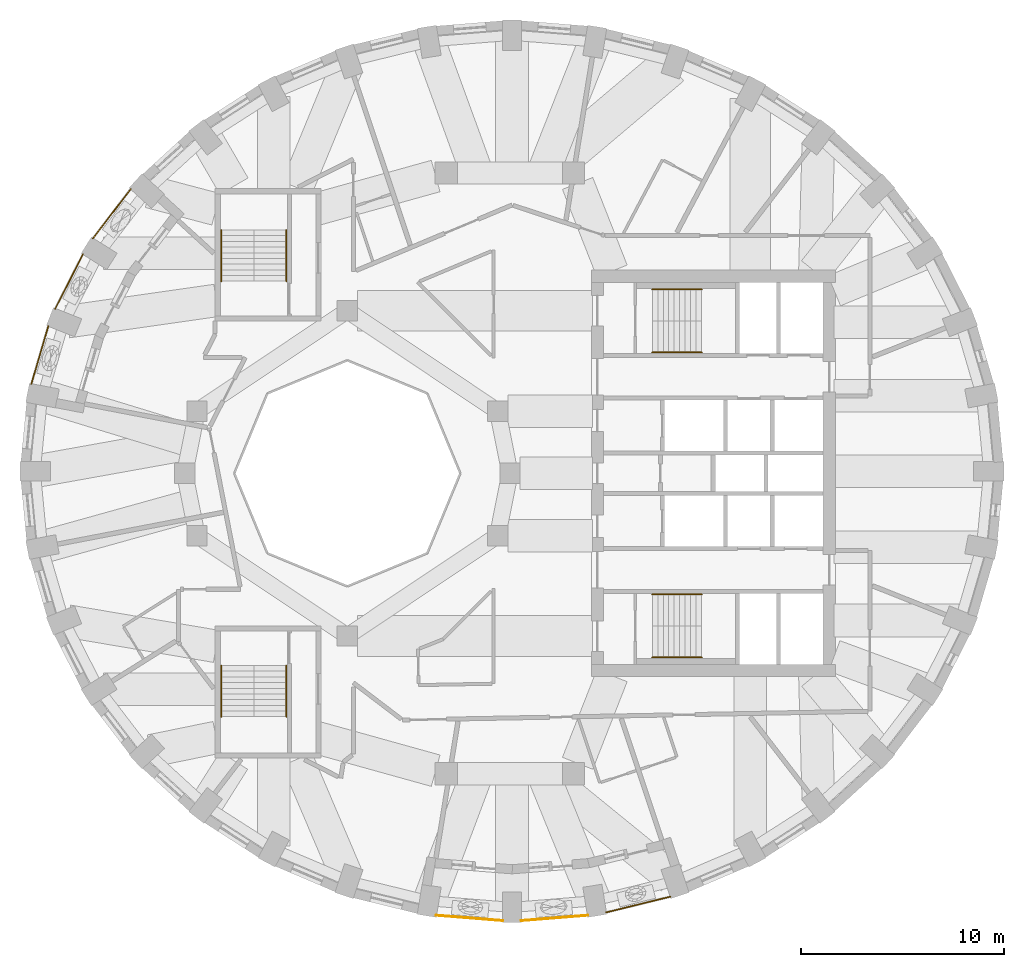
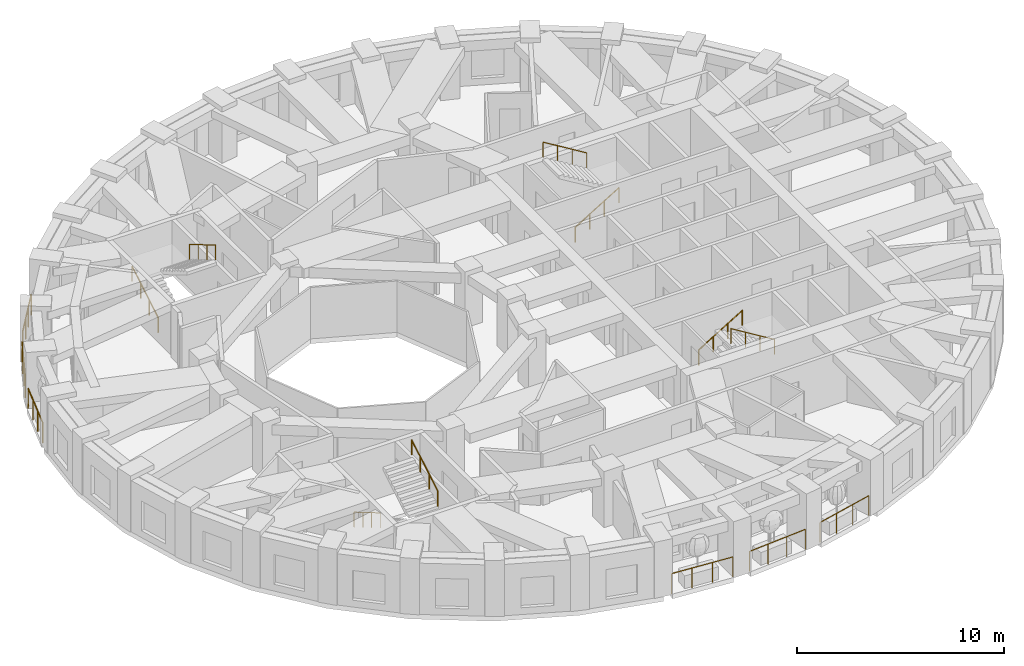
# One storey, part 9 of 11: 14 railings.
"""IFC4 building model written with IfcOpenShell, lengths in metres."""

from ifc_helpers import new_model, si_unit, direction, frame, origin, origin_2d, place, context, subcontext, project, spatial, circle, extrude, material, type_object, element, save


model = new_model("IFC4")

# Units and contexts
model_context = context("Model", 3, precision=1e-05, world=origin(), true_north=direction((0.0, 1.0)))
body_context = subcontext(model_context, "Body", "Model", "MODEL_VIEW")
ifc_project = project(units=[si_unit("LENGTHUNIT", "METRE"), si_unit("AREAUNIT", "SQUARE_METRE"), si_unit("VOLUMEUNIT", "CUBIC_METRE"), si_unit("PLANEANGLEUNIT", "RADIAN"), si_unit("MASSUNIT", "GRAM", prefix="KILO")], contexts=[model_context])

# Site, building, storey
site_placement = place(None, origin())
site = spatial("IfcSite", under=ifc_project, at=site_placement, CompositionType="ELEMENT")
building_placement = place(site_placement, origin())
building = spatial("IfcBuilding", under=site, at=building_placement, Name="Taillehof Tower", CompositionType="ELEMENT")
storey_placement = place(building_placement, frame((0.0, 0.0, 155.0)))
storey = spatial("IfcBuildingStorey", under=building, at=storey_placement, Name="L43", CompositionType="ELEMENT", Elevation=155.0)

# Railings
ifc_material_1 = material(Name="Stainless steel balustrade", Category="steel")
railing_type_1 = type_object("IfcRailingType", Name="Balcony guard 1200", PredefinedType="GUARDRAIL", material=ifc_material_1)
railing_1_placement = place(storey_placement, frame((-3.627197265625, -21.741455078125, 0.0)))
element("IfcRailing", 1, at=railing_1_placement, inside=storey, type_object=railing_type_1, Name="Balcony guard L43 bay 27", PredefinedType="GUARDRAIL", context=body_context, shape_type="SweptSolid", body=[
    extrude(circle(Radius=0.02392578125, at=origin_2d()), frame((0.0, 0.0, 1.17578125), z_axis=(0.996810783879, -0.079801385593, 0.0), x_axis=(0.079801385593, 0.996810783879, 0.0)), (0.0, 0.0, 1.0), 3.28271484375),
    extrude(circle(Radius=0.02099609375, at=origin_2d()), origin(), (0.0, 0.0, 1.0), 1.15185546875),
    extrude(circle(Radius=0.02099609375, at=origin_2d()), frame((1.0908203125, -0.08740234375, 0.0)), (0.0, 0.0, 1.0), 1.15185546875),
    extrude(circle(Radius=0.02099609375, at=origin_2d()), frame((2.181396484375, -0.174560546875, 0.0)), (0.0, 0.0, 1.0), 1.15185546875),
    extrude(circle(Radius=0.02099609375, at=origin_2d()), frame((3.272216796875, -0.261962890625, 0.0)), (0.0, 0.0, 1.0), 1.15185546875),
])
railing_2_placement = place(storey_placement, frame((0.55517578125, -22.00341796875, 0.0)))
element("IfcRailing", 2, at=railing_2_placement, inside=storey, type_object=railing_type_1, Name="Balcony guard L43 bay 28", PredefinedType="GUARDRAIL", context=body_context, shape_type="SweptSolid", body=[
    extrude(circle(Radius=0.02392578125, at=origin_2d()), frame((0.0, 0.0, 1.17578125), z_axis=(0.996810310205, 0.079807302108, 0.0), x_axis=(-0.079807302108, 0.996810310205, 0.0)), (0.0, 0.0, 1.0), 3.282470703125),
    extrude(circle(Radius=0.02099609375, at=origin_2d()), origin(), (0.0, 0.0, 1.0), 1.15185546875),
    extrude(circle(Radius=0.02099609375, at=origin_2d()), frame((1.090576171875, 0.08740234375, 0.0)), (0.0, 0.0, 1.0), 1.15185546875),
    extrude(circle(Radius=0.02099609375, at=origin_2d()), frame((2.181396484375, 0.174560546875, 0.0)), (0.0, 0.0, 1.0), 1.15185546875),
    extrude(circle(Radius=0.02099609375, at=origin_2d()), frame((3.27197265625, 0.261962890625, 0.0)), (0.0, 0.0, 1.0), 1.15185546875),
])
railing_3_placement = place(storey_placement, frame((4.7255859375, -21.596435546875, 0.0)))
element("IfcRailing", 3, at=railing_3_placement, inside=storey, type_object=railing_type_1, Name="Balcony guard L43 bay 29", PredefinedType="GUARDRAIL", context=body_context, shape_type="SweptSolid", body=[
    extrude(circle(Radius=0.02392578125, at=origin_2d()), frame((0.0, 0.0, 1.17578125), z_axis=(0.971236963408, 0.238115016139, 0.0), x_axis=(-0.238115016139, 0.971236963408, 0.0)), (0.0, 0.0, 1.0), 3.263427734375),
    extrude(circle(Radius=0.02099609375, at=origin_2d()), origin(), (0.0, 0.0, 1.0), 1.15185546875),
    extrude(circle(Radius=0.02099609375, at=origin_2d()), frame((1.056640625, 0.259033203125, 0.0)), (0.0, 0.0, 1.0), 1.15185546875),
    extrude(circle(Radius=0.02099609375, at=origin_2d()), frame((2.113037109375, 0.51806640625, 0.0)), (0.0, 0.0, 1.0), 1.15185546875),
    extrude(circle(Radius=0.02099609375, at=origin_2d()), frame((3.169677734375, 0.777099609375, 0.0)), (0.0, 0.0, 1.0), 1.15185546875),
])
railing_4_placement = place(storey_placement, frame((-18.650390625, 13.990478515625, 0.0)))
element("IfcRailing", 4, at=railing_4_placement, inside=storey, type_object=railing_type_1, Name="Balcony guard L43 bay 15", PredefinedType="GUARDRAIL", context=body_context, shape_type="SweptSolid", body=[
    extrude(circle(Radius=0.02392578125, at=origin_2d()), frame((0.0, 0.0, 1.17578125), z_axis=(-0.607804631475, -0.794086601044, 0.0), x_axis=(0.794086601044, -0.607804631475, 0.0)), (0.0, 0.0, 1.0), 3.06689453125),
    extrude(circle(Radius=0.02099609375, at=origin_2d()), origin(), (0.0, 0.0, 1.0), 1.15185546875),
    extrude(circle(Radius=0.02099609375, at=origin_2d()), frame((-0.621337890625, -0.811767578125, 0.0)), (0.0, 0.0, 1.0), 1.15185546875),
    extrude(circle(Radius=0.02099609375, at=origin_2d()), frame((-1.24267578125, -1.62353515625, 0.0)), (0.0, 0.0, 1.0), 1.15185546875),
    extrude(circle(Radius=0.02099609375, at=origin_2d()), frame((-1.864013671875, -2.435302734375, 0.0)), (0.0, 0.0, 1.0), 1.15185546875),
])
railing_5_placement = place(storey_placement, frame((-20.99951171875, 10.785400390625, 0.0)))
element("IfcRailing", 5, at=railing_5_placement, inside=storey, type_object=railing_type_1, Name="Balcony guard L43 bay 16", PredefinedType="GUARDRAIL", context=body_context, shape_type="SweptSolid", body=[
    extrude(circle(Radius=0.02392578125, at=origin_2d()), frame((0.0, 0.0, 1.17578125), z_axis=(-0.454128245329, -0.890936325892, 0.0), x_axis=(0.890936325892, -0.454128245329, 0.0)), (0.0, 0.0, 1.0), 3.0166015625),
    extrude(circle(Radius=0.02099609375, at=origin_2d()), origin(), (0.0, 0.0, 1.0), 1.15185546875),
    extrude(circle(Radius=0.02099609375, at=origin_2d()), frame((-0.45654296875, -0.895751953125, 0.0)), (0.0, 0.0, 1.0), 1.15185546875),
    extrude(circle(Radius=0.02099609375, at=origin_2d()), frame((-0.913330078125, -1.791748046875, 0.0)), (0.0, 0.0, 1.0), 1.15185546875),
    extrude(circle(Radius=0.02099609375, at=origin_2d()), frame((-1.369873046875, -2.6875, 0.0)), (0.0, 0.0, 1.0), 1.15185546875),
])
railing_6_placement = place(storey_placement, frame((-22.705322265625, 7.252197265625, 0.0)))
element("IfcRailing", 6, at=railing_6_placement, inside=storey, type_object=railing_type_1, Name="Balcony guard L43 bay 17", PredefinedType="GUARDRAIL", context=body_context, shape_type="SweptSolid", body=[
    extrude(circle(Radius=0.02392578125, at=origin_2d()), frame((0.0, 0.0, 1.17578125), z_axis=(-0.28104789837, -0.959693742202, 0.0), x_axis=(0.959693742202, -0.28104789837, 0.0)), (0.0, 0.0, 1.0), 2.978759765625),
    extrude(circle(Radius=0.02099609375, at=origin_2d()), origin(), (0.0, 0.0, 1.0), 1.15185546875),
    extrude(circle(Radius=0.02099609375, at=origin_2d()), frame((-0.279052734375, -0.952880859375, 0.0)), (0.0, 0.0, 1.0), 1.15185546875),
    extrude(circle(Radius=0.02099609375, at=origin_2d()), frame((-0.55810546875, -1.90576171875, 0.0)), (0.0, 0.0, 1.0), 1.15185546875),
    extrude(circle(Radius=0.02099609375, at=origin_2d()), frame((-0.837158203125, -2.858642578125, 0.0)), (0.0, 0.0, 1.0), 1.15185546875),
])
ifc_material_2 = material(Name="Stainless steel", Category="steel")
railing_type_2 = type_object("IfcRailingType", Name="Stair handrail 900", PredefinedType="HANDRAIL", material=ifc_material_2)
railing_7_placement = place(storey_placement, frame((7.0, 5.949951171875, 0.1650390625)))
element("IfcRailing", 7, at=railing_7_placement, inside=storey, type_object=railing_type_2, Name="Stair S1 handrail", PredefinedType="HANDRAIL", context=body_context, shape_type="SweptSolid", body=[
    extrude(circle(Radius=0.02392578125, at=origin_2d()), frame((0.0, 0.0, 0.8759765625), z_axis=(0.853296667938, 0.0, 0.521425734392), x_axis=(0.0, 1.0, 0.0)), (0.0, 0.0, 1.0), 2.84765625),
    extrude(circle(Radius=0.02099609375, at=origin_2d()), origin(), (0.0, 0.0, 1.0), 0.851806640625),
    extrude(circle(Radius=0.02099609375, at=origin_2d()), frame((0.81005859375, 0.0, 0.494873046875)), (0.0, 0.0, 1.0), 0.851806640625),
    extrude(circle(Radius=0.02099609375, at=origin_2d()), frame((1.619873046875, 0.0, 0.989990234375)), (0.0, 0.0, 1.0), 0.851806640625),
    extrude(circle(Radius=0.02099609375, at=origin_2d()), frame((2.429931640625, 0.0, 1.48486328125)), (0.0, 0.0, 1.0), 0.851806640625),
])
railing_8_placement = place(storey_placement, frame((9.429931640625, 9.050048828125, 1.81494140625)))
element("IfcRailing", 8, at=railing_8_placement, inside=storey, type_object=railing_type_2, Name="Stair S1 handrail", PredefinedType="HANDRAIL", context=body_context, shape_type="SweptSolid", body=[
    extrude(circle(Radius=0.02392578125, at=origin_2d()), frame((0.0, 0.0, 0.8759765625), z_axis=(-0.853258522278, 0.0, 0.521488153423), x_axis=(0.0, -1.0, 0.0)), (0.0, 0.0, 1.0), 2.847900390625),
    extrude(circle(Radius=0.02099609375, at=origin_2d()), origin(), (0.0, 0.0, 1.0), 0.851806640625),
    extrude(circle(Radius=0.02099609375, at=origin_2d()), frame((-0.81005859375, 0.0, 0.4951171875)), (0.0, 0.0, 1.0), 0.851806640625),
    extrude(circle(Radius=0.02099609375, at=origin_2d()), frame((-1.619873046875, 0.0, 0.989990234375)), (0.0, 0.0, 1.0), 0.851806640625),
    extrude(circle(Radius=0.02099609375, at=origin_2d()), frame((-2.429931640625, 0.0, 1.485107421875)), (0.0, 0.0, 1.0), 0.851806640625),
])
railing_9_placement = place(storey_placement, frame((7.0, -5.949951171875, 0.1650390625)))
element("IfcRailing", 9, at=railing_9_placement, inside=storey, type_object=railing_type_2, Name="Stair S2 handrail", PredefinedType="HANDRAIL", context=body_context, shape_type="SweptSolid", body=[
    extrude(circle(Radius=0.02392578125, at=origin_2d()), frame((0.0, 0.0, 0.8759765625), z_axis=(0.853296667938, 0.0, 0.521425734392), x_axis=(0.0, 1.0, 0.0)), (0.0, 0.0, 1.0), 2.84765625),
    extrude(circle(Radius=0.02099609375, at=origin_2d()), origin(), (0.0, 0.0, 1.0), 0.851806640625),
    extrude(circle(Radius=0.02099609375, at=origin_2d()), frame((0.81005859375, 0.0, 0.494873046875)), (0.0, 0.0, 1.0), 0.851806640625),
    extrude(circle(Radius=0.02099609375, at=origin_2d()), frame((1.619873046875, 0.0, 0.989990234375)), (0.0, 0.0, 1.0), 0.851806640625),
    extrude(circle(Radius=0.02099609375, at=origin_2d()), frame((2.429931640625, 0.0, 1.48486328125)), (0.0, 0.0, 1.0), 0.851806640625),
])
railing_10_placement = place(storey_placement, frame((9.429931640625, -9.050048828125, 1.81494140625)))
element("IfcRailing", 10, at=railing_10_placement, inside=storey, type_object=railing_type_2, Name="Stair S2 handrail", PredefinedType="HANDRAIL", context=body_context, shape_type="SweptSolid", body=[
    extrude(circle(Radius=0.02392578125, at=origin_2d()), frame((0.0, 0.0, 0.8759765625), z_axis=(-0.853258522278, 0.0, 0.521488153423), x_axis=(0.0, -1.0, 0.0)), (0.0, 0.0, 1.0), 2.847900390625),
    extrude(circle(Radius=0.02099609375, at=origin_2d()), origin(), (0.0, 0.0, 1.0), 0.851806640625),
    extrude(circle(Radius=0.02099609375, at=origin_2d()), frame((-0.81005859375, 0.0, 0.4951171875)), (0.0, 0.0, 1.0), 0.851806640625),
    extrude(circle(Radius=0.02099609375, at=origin_2d()), frame((-1.619873046875, 0.0, 0.989990234375)), (0.0, 0.0, 1.0), 0.851806640625),
    extrude(circle(Radius=0.02099609375, at=origin_2d()), frame((-2.429931640625, 0.0, 1.485107421875)), (0.0, 0.0, 1.0), 0.851806640625),
])
railing_11_placement = place(storey_placement, frame((-14.199951171875, 9.449951171875, 0.1650390625)))
element("IfcRailing", 11, at=railing_11_placement, inside=storey, type_object=railing_type_2, Name="Stair S3 handrail", PredefinedType="HANDRAIL", context=body_context, shape_type="SweptSolid", body=[
    extrude(circle(Radius=0.02392578125, at=origin_2d()), frame((0.0, 0.0, 0.8759765625), z_axis=(0.0, 0.861560626758, 0.507654692109), x_axis=(-1.0, 0.0, 0.0)), (0.0, 0.0, 1.0), 2.925048828125),
    extrude(circle(Radius=0.02099609375, at=origin_2d()), origin(), (0.0, 0.0, 1.0), 0.851806640625),
    extrude(circle(Radius=0.02099609375, at=origin_2d()), frame((0.0, 0.840087890625, 0.494873046875)), (0.0, 0.0, 1.0), 0.851806640625),
    extrude(circle(Radius=0.02099609375, at=origin_2d()), frame((0.0, 1.679931640625, 0.989990234375)), (0.0, 0.0, 1.0), 0.851806640625),
    extrude(circle(Radius=0.02099609375, at=origin_2d()), frame((0.0, 2.52001953125, 1.48486328125)), (0.0, 0.0, 1.0), 0.851806640625),
])
railing_12_placement = place(storey_placement, frame((-11.0, 11.969970703125, 1.81494140625)))
element("IfcRailing", 12, at=railing_12_placement, inside=storey, type_object=railing_type_2, Name="Stair S3 handrail", PredefinedType="HANDRAIL", context=body_context, shape_type="SweptSolid", body=[
    extrude(circle(Radius=0.02392578125, at=origin_2d()), frame((0.0, 0.0, 0.8759765625), z_axis=(0.0, -0.86152411907, 0.507716645641), x_axis=(1.0, 0.0, 0.0)), (0.0, 0.0, 1.0), 2.925048828125),
    extrude(circle(Radius=0.02099609375, at=origin_2d()), origin(), (0.0, 0.0, 1.0), 0.851806640625),
    extrude(circle(Radius=0.02099609375, at=origin_2d()), frame((0.0, -0.840087890625, 0.4951171875)), (0.0, 0.0, 1.0), 0.851806640625),
    extrude(circle(Radius=0.02099609375, at=origin_2d()), frame((0.0, -1.679931640625, 0.989990234375)), (0.0, 0.0, 1.0), 0.851806640625),
    extrude(circle(Radius=0.02099609375, at=origin_2d()), frame((0.0, -2.52001953125, 1.485107421875)), (0.0, 0.0, 1.0), 0.851806640625),
])
railing_13_placement = place(storey_placement, frame((-14.199951171875, -9.449951171875, 0.1650390625)))
element("IfcRailing", 13, at=railing_13_placement, inside=storey, type_object=railing_type_2, Name="Stair S4 handrail", PredefinedType="HANDRAIL", context=body_context, shape_type="SweptSolid", body=[
    extrude(circle(Radius=0.02392578125, at=origin_2d()), frame((0.0, 0.0, 0.8759765625), z_axis=(0.0, -0.861560626758, 0.507654692109), x_axis=(1.0, 0.0, 0.0)), (0.0, 0.0, 1.0), 2.925048828125),
    extrude(circle(Radius=0.02099609375, at=origin_2d()), origin(), (0.0, 0.0, 1.0), 0.851806640625),
    extrude(circle(Radius=0.02099609375, at=origin_2d()), frame((0.0, -0.840087890625, 0.494873046875)), (0.0, 0.0, 1.0), 0.851806640625),
    extrude(circle(Radius=0.02099609375, at=origin_2d()), frame((0.0, -1.679931640625, 0.989990234375)), (0.0, 0.0, 1.0), 0.851806640625),
    extrude(circle(Radius=0.02099609375, at=origin_2d()), frame((0.0, -2.52001953125, 1.48486328125)), (0.0, 0.0, 1.0), 0.851806640625),
])
railing_14_placement = place(storey_placement, frame((-11.0, -11.969970703125, 1.81494140625)))
element("IfcRailing", 14, at=railing_14_placement, inside=storey, type_object=railing_type_2, Name="Stair S4 handrail", PredefinedType="HANDRAIL", context=body_context, shape_type="SweptSolid", body=[
    extrude(circle(Radius=0.02392578125, at=origin_2d()), frame((0.0, 0.0, 0.8759765625), z_axis=(0.0, 0.86152411907, 0.507716645641), x_axis=(-1.0, 0.0, 0.0)), (0.0, 0.0, 1.0), 2.925048828125),
    extrude(circle(Radius=0.02099609375, at=origin_2d()), origin(), (0.0, 0.0, 1.0), 0.851806640625),
    extrude(circle(Radius=0.02099609375, at=origin_2d()), frame((0.0, 0.840087890625, 0.4951171875)), (0.0, 0.0, 1.0), 0.851806640625),
    extrude(circle(Radius=0.02099609375, at=origin_2d()), frame((0.0, 1.679931640625, 0.989990234375)), (0.0, 0.0, 1.0), 0.851806640625),
    extrude(circle(Radius=0.02099609375, at=origin_2d()), frame((0.0, 2.52001953125, 1.485107421875)), (0.0, 0.0, 1.0), 0.851806640625),
])

save(model, "model.ifc")
